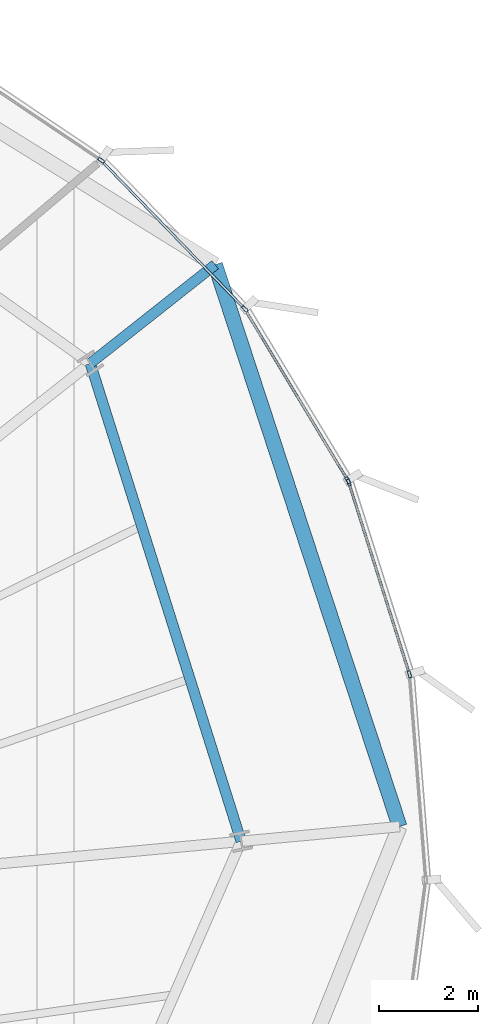
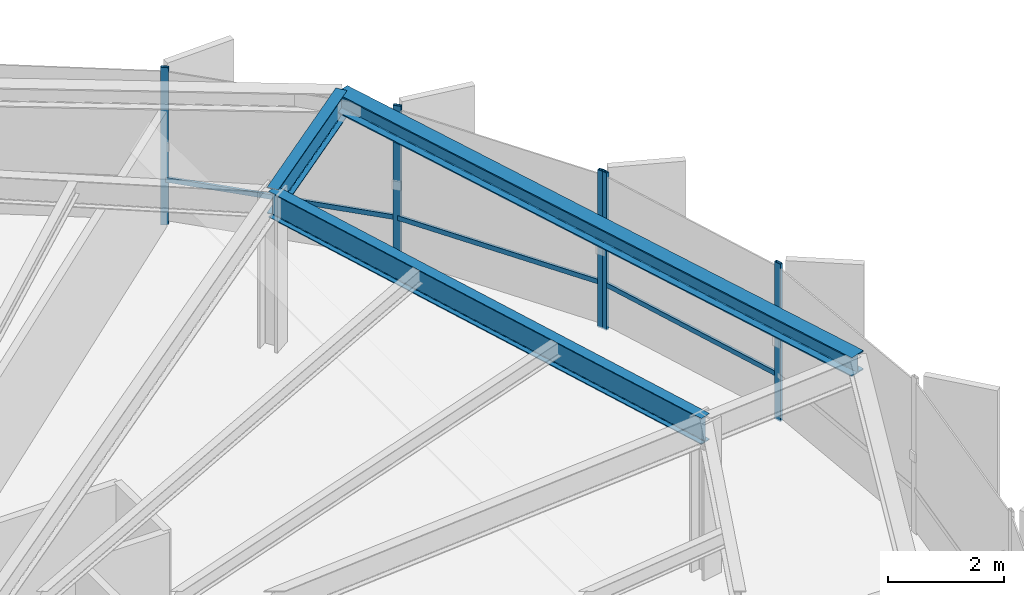
# One storey, part 27 of 37: 8 members, 3 beams, 2 elements without a shape of their own.
"""IFC4 building model written with IfcOpenShell, lengths in metres."""

from ifc_helpers import new_model, si_unit, direction, frame, origin, origin_2d, place, context, subcontext, project, spatial, hollow_rectangle, i_section, extrude, source, transform, mapped, material, layer, layer_set, material_profile, profile_set, type_object, element, aggregate, save


model = new_model("IFC4")

# Units and contexts
model_context = context("Model", 3, precision=1e-05, world=origin(), true_north=direction((0.0, 1.0)))
body_context = subcontext(model_context, "Body", "Model", "MODEL_VIEW")
ifc_project = project(units=[si_unit("LENGTHUNIT", "METRE"), si_unit("AREAUNIT", "SQUARE_METRE"), si_unit("VOLUMEUNIT", "CUBIC_METRE"), si_unit("PLANEANGLEUNIT", "RADIAN"), si_unit("MASSUNIT", "GRAM", prefix="KILO"), si_unit("THERMODYNAMICTEMPERATUREUNIT", "KELVIN")], contexts=[model_context])

# Site, building, storey
site_placement = place(None, origin())
site = spatial("IfcSite", under=ifc_project, at=site_placement, CompositionType="ELEMENT")
building_placement = place(site_placement, origin())
building = spatial("IfcBuilding", under=site, at=building_placement, Name="Kethvar Cultural Tower", CompositionType="ELEMENT")
storey_placement = place(building_placement, frame((0.0, 0.0, 132.35009765625)))
storey = spatial("IfcBuildingStorey", under=building, at=storey_placement, Name="L33", CompositionType="ELEMENT", Elevation=132.35009765625)

# Beams
ifc_material_1 = material(Name="Steel S355J2", Category="steel")
ifc_material_profile_1 = material_profile(ifc_material_1, i_section(OverallWidth=0.2099609375, OverallDepth=0.550048828125, WebThickness=0.010986328125, FlangeThickness=0.01708984375, FilletRadius=0.02392578125, at=origin_2d()), Name="Steel S355J2 — IPE550")
ifc_profile_set_1 = profile_set([ifc_material_profile_1], Name="Steel S355J2 — IPE550")
beam_type_1 = type_object("IfcBeamType", Name="BM-IPE550", PredefinedType="BEAM", material=ifc_profile_set_1)
shared_shape_1 = source(origin(), body_context, "Body", "SweptSolid", [
    extrude(i_section(OverallWidth=0.2099609375, OverallDepth=0.550048828125, WebThickness=0.010986328125, FlangeThickness=0.01708984375, FilletRadius=0.02392578125, at=origin_2d()), origin(), (0.0, 0.0, 1.0), 3.2001953125),
])
beam_1_placement = place(storey_placement, frame((68.568603515625, 42.34521484375, 3.02294921875), z_axis=(0.784650322996, 0.619938602301, 0.0), x_axis=(-0.619938602301, 0.784650322996, 0.0)))
element("IfcBeam", 1, at=beam_1_placement, inside=storey, type_object=beam_type_1, Name="L33 Perimeter Cantilever Beam RC-02", PredefinedType="BEAM", context=body_context, shape_type="MappedRepresentation", body=[
    mapped(shared_shape_1, transform((0.0, 0.0, 0.0), scale=1.0)),
])
shared_shape_2 = source(origin(), body_context, "Body", "SweptSolid", [
    extrude(i_section(OverallWidth=0.2099609375, OverallDepth=0.550048828125, WebThickness=0.010986328125, FlangeThickness=0.01708984375, FilletRadius=0.02392578125, at=origin_2d()), origin(), (0.0, 0.0, 1.0), 10.079345703125),
])
beam_2_placement = place(storey_placement, frame((71.6025390625, 32.7333984375, 3.02294921875), z_axis=(-0.301007326566, 0.953621827222, 0.0), x_axis=(-0.953621827222, -0.301007326566, 0.0)))
element("IfcBeam", 2, at=beam_2_placement, inside=storey, type_object=beam_type_1, Name="L33 Column Ring Tie Beam CR-01", PredefinedType="BEAM", context=body_context, shape_type="MappedRepresentation", body=[
    mapped(shared_shape_2, transform((0.0, 0.0, 0.0), scale=1.0)),
])
ifc_material_profile_2 = material_profile(ifc_material_1, i_section(OverallWidth=0.300048828125, OverallDepth=0.39990234375, WebThickness=0.013427734375, FlangeThickness=0.02392578125, FilletRadius=0.027099609375, at=origin_2d()), Name="Steel S355J2 — HEB400")
ifc_profile_set_2 = profile_set([ifc_material_profile_2], Name="Steel S355J2 — HEB400")
beam_type_2 = type_object("IfcBeamType", Name="BM-SP400", PredefinedType="SPANDREL", material=ifc_profile_set_2)
shared_shape_3 = source(origin(), body_context, "Body", "SweptSolid", [
    extrude(i_section(OverallWidth=0.300048828125, OverallDepth=0.39990234375, WebThickness=0.013427734375, FlangeThickness=0.02392578125, FilletRadius=0.027099609375, at=origin_2d()), origin(), (0.0, 0.0, 1.0), 11.8935546875),
])
beam_3_placement = place(storey_placement, frame((74.788818359375, 33.02880859375, 3.097900390625), z_axis=(-0.311870604739, 0.95012458441, 0.0), x_axis=(-0.95012458441, -0.311870604739, 0.0)))
element("IfcBeam", 3, at=beam_3_placement, inside=storey, type_object=beam_type_2, Name="L33 Perimeter Spandrel Beam SP-01", PredefinedType="SPANDREL", context=body_context, shape_type="MappedRepresentation", body=[
    mapped(shared_shape_3, transform((0.0, 0.0, 0.0), scale=1.0)),
])

# Curtain wall, members
ifc_material_2 = material(Name="Aluminium 6063-T6", Category="aluminium")
ifc_layer = layer(ifc_material_2, 0.179931640625, Name="Aluminium 6063-T6", Category="aluminium")
ifc_layer_set = layer_set([ifc_layer], Name="Aluminium 6063-T6 (180 mm)")
curtain_wall_type = type_object("IfcCurtainWallType", Name="CW-SYS-04-Z34", PredefinedType="NOTDEFINED", material=ifc_layer_set)
curtain_wall_1_placement = place(storey_placement, origin())
curtain_wall_1 = element("IfcCurtainWall", 4, at=curtain_wall_1_placement, inside=storey, type_object=curtain_wall_type, Name="L33 Curtain Wall Run 01", PredefinedType="NOTDEFINED")
ifc_material_profile_3 = material_profile(ifc_material_2, hollow_rectangle(XDim=0.06005859375, YDim=0.139892578125, WallThickness=0.0048828125, at=origin_2d()), Name="Aluminium 6063-T6 — RHS140x60x5")
ifc_profile_set_3 = profile_set([ifc_material_profile_3], Name="Aluminium 6063-T6 — RHS140x60x5")
member_type_1 = type_object("IfcMemberType", Name="CW-SYS-04-Z34-MUL", PredefinedType="MULLION", material=ifc_profile_set_3)
shared_shape_4 = source(origin(), body_context, "Body", "SweptSolid", [
    extrude(hollow_rectangle(XDim=0.06005859375, YDim=0.139892578125, WallThickness=0.0048828125, at=origin_2d()), origin(), (0.0, 0.0, 1.0), 3.2998046875),
])
member_1_placement = place(storey_placement, frame((73.745361328125, 39.99462890625, 0.0), z_axis=(0.0, 0.0, 1.0), x_axis=(-0.856987466281, -0.515337251359, 0.0)))
member_1 = element("IfcMember", 5, at=member_1_placement, type_object=member_type_1, Name="CW-L33-R01 Mullion 1", PredefinedType="MULLION", context=body_context, shape_type="MappedRepresentation", body=[
    mapped(shared_shape_4, transform((0.0, 0.0, 0.0), scale=1.0)),
])
member_2_placement = place(storey_placement, frame((71.67626953125, 43.441162109375, 0.0), z_axis=(0.0, 0.0, 1.0), x_axis=(-0.718551272686, -0.695473988386, 0.0)))
member_2 = element("IfcMember", 6, at=member_2_placement, type_object=member_type_1, Name="CW-L33-R01 Mullion 2", PredefinedType="MULLION", context=body_context, shape_type="MappedRepresentation", body=[
    mapped(shared_shape_4, transform((0.0, 0.0, 0.0), scale=1.0)),
])
member_3_placement = place(storey_placement, frame((68.787841796875, 46.4287109375, 0.0), z_axis=(0.0, 0.0, 1.0), x_axis=(-0.557629211966, -0.830090152913, 0.0)))
member_3 = element("IfcMember", 7, at=member_3_placement, type_object=member_type_1, Name="CW-L33-R01 Mullion 3", PredefinedType="MULLION", context=body_context, shape_type="MappedRepresentation", body=[
    mapped(shared_shape_4, transform((0.0, 0.0, 0.0), scale=1.0)),
])

curtain_wall_2_placement = place(storey_placement, origin())
curtain_wall_2 = element("IfcCurtainWall", 8, at=curtain_wall_2_placement, inside=storey, type_object=curtain_wall_type, Name="L33 Curtain Wall Run 06", PredefinedType="NOTDEFINED")
member_4_placement = place(storey_placement, frame((74.98828125, 36.091796875, 0.0), z_axis=(0.0, 0.0, 1.0), x_axis=(-0.953296156722, -0.302037146025, 0.0)))
member_4 = element("IfcMember", 9, at=member_4_placement, type_object=member_type_1, Name="CW-L33-R06 Mullion 6", PredefinedType="MULLION", context=body_context, shape_type="MappedRepresentation", body=[
    mapped(shared_shape_4, transform((0.0, 0.0, 0.0), scale=1.0)),
])
member_5_placement = place(storey_placement, frame((73.7666015625, 39.947509765625, 0.0), z_axis=(0.0, 0.0, 1.0), x_axis=(-0.953296156722, -0.302037146025, 0.0)))
member_5 = element("IfcMember", 10, at=member_5_placement, type_object=member_type_1, Name="CW-L33-R06 Mullion 7", PredefinedType="MULLION", context=body_context, shape_type="MappedRepresentation", body=[
    mapped(shared_shape_4, transform((0.0, 0.0, 0.0), scale=1.0)),
])

# Member
ifc_material_profile_4 = material_profile(ifc_material_2, hollow_rectangle(XDim=0.050048828125, YDim=0.10009765625, WallThickness=0.00390625, at=origin_2d()), Name="Aluminium 6063-T6 — RHS100x50x4")
ifc_profile_set_4 = profile_set([ifc_material_profile_4], Name="Aluminium 6063-T6 — RHS100x50x4")
member_type_2 = type_object("IfcMemberType", Name="CW-SYS-04-Z34-TRN", PredefinedType="USERDEFINED", material=ifc_profile_set_4)
shared_shape_5 = source(origin(), body_context, "Body", "SweptSolid", [
    extrude(hollow_rectangle(XDim=0.050048828125, YDim=0.10009765625, WallThickness=0.00390625, at=origin_2d()), origin(), (0.0, 0.0, 1.0), 3.997314453125),
])
member_6_placement = place(storey_placement, frame((73.7431640625, 39.998291015625, 0.949951171875), z_axis=(-0.515366733626, 0.856969736847, 0.0), x_axis=(-0.856969736847, -0.515366733626, 0.0)))
member_6 = element("IfcMember", 11, at=member_6_placement, type_object=member_type_2, Name="CW-L33-R01 Transom 1", ObjectType="TRANSOM", PredefinedType="USERDEFINED", context=body_context, shape_type="MappedRepresentation", body=[
    mapped(shared_shape_5, transform((0.0, 0.0, 0.0), scale=1.0)),
])

shared_shape_6 = source(origin(), body_context, "Body", "SweptSolid", [
    extrude(hollow_rectangle(XDim=0.050048828125, YDim=0.10009765625, WallThickness=0.00390625, at=origin_2d()), origin(), (0.0, 0.0, 1.0), 4.092041015625),
])
member_7_placement = place(storey_placement, frame((71.64599609375, 43.47216796875, 0.949951171875), z_axis=(-0.695468135375, 0.718556937673, 0.0), x_axis=(-0.718556937673, -0.695468135375, 0.0)))
member_7 = element("IfcMember", 12, at=member_7_placement, type_object=member_type_2, Name="CW-L33-R01 Transom 2", ObjectType="TRANSOM", PredefinedType="USERDEFINED", context=body_context, shape_type="MappedRepresentation", body=[
    mapped(shared_shape_6, transform((0.0, 0.0, 0.0), scale=1.0)),
])

aggregate(curtain_wall_1, [member_1, member_2, member_3, member_6, member_7])

shared_shape_7 = source(origin(), body_context, "Body", "SweptSolid", [
    extrude(hollow_rectangle(XDim=0.050048828125, YDim=0.10009765625, WallThickness=0.00390625, at=origin_2d()), origin(), (0.0, 0.0, 1.0), 3.99755859375),
])
member_8_placement = place(storey_placement, frame((74.97509765625, 36.1328125, 0.949951171875), z_axis=(-0.302011044146, 0.953304426305, 0.0), x_axis=(-0.953304426305, -0.302011044146, 0.0)))
member_8 = element("IfcMember", 13, at=member_8_placement, type_object=member_type_2, Name="CW-L33-R06 Transom 6", ObjectType="TRANSOM", PredefinedType="USERDEFINED", context=body_context, shape_type="MappedRepresentation", body=[
    mapped(shared_shape_7, transform((0.0, 0.0, 0.0), scale=1.0)),
])

aggregate(curtain_wall_2, [member_4, member_5, member_8])

save(model, "model.ifc")
